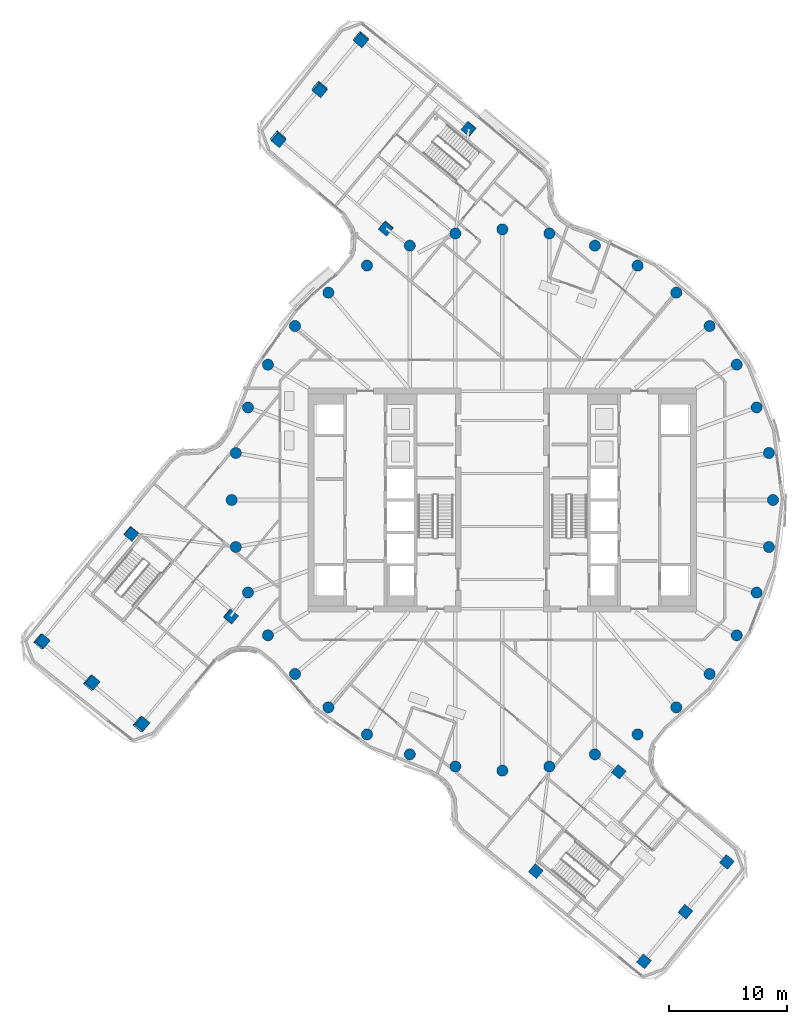
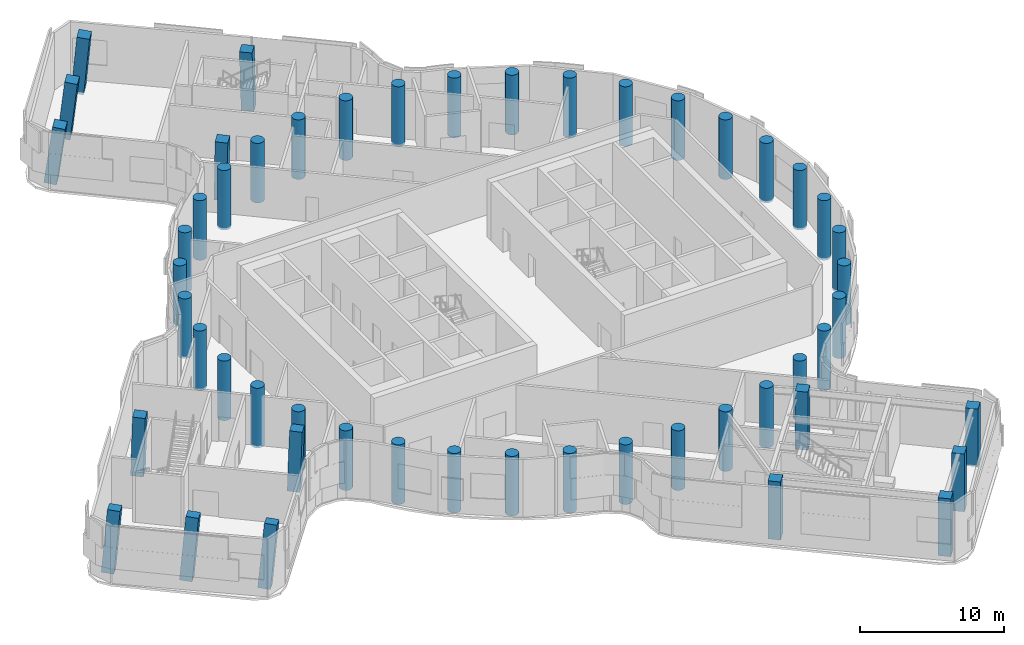
# One storey, part 1 of 19: 51 columns.
"""IFC4 building model written with IfcOpenShell, lengths in metres."""

from ifc_helpers import new_model, si_unit, direction, frame, origin, origin_2d, place, context, subcontext, project, spatial, rectangle, circle, extrude, material, material_profile, profile_set, type_object, element, save


model = new_model("IFC4")

# Units and contexts
model_context = context("Model", 3, precision=1e-05, world=origin(), true_north=direction((0.0, 1.0)))
body_context = subcontext(model_context, "Body", "Model", "MODEL_VIEW")
ifc_project = project(units=[si_unit("LENGTHUNIT", "METRE"), si_unit("AREAUNIT", "SQUARE_METRE"), si_unit("VOLUMEUNIT", "CUBIC_METRE"), si_unit("PLANEANGLEUNIT", "RADIAN"), si_unit("MASSUNIT", "GRAM", prefix="KILO")], contexts=[model_context])

# Site, building, storey
site_placement = place(None, origin())
site = spatial("IfcSite", under=ifc_project, at=site_placement, CompositionType="ELEMENT")
building_placement = place(site_placement, origin())
building = spatial("IfcBuilding", under=site, at=building_placement, Name="Tamarind Cross Interchange Tower", CompositionType="ELEMENT")
storey_placement = place(building_placement, frame((0.0, 0.0, 214.89990234375)))
storey = spatial("IfcBuildingStorey", under=building, at=storey_placement, Name="L54", CompositionType="ELEMENT", Elevation=214.89990234375)

# Columns
ifc_material = material(Name="Concrete C55", Category="concrete")
ifc_material_profile_1 = material_profile(ifc_material, rectangle(XDim=0.89990234375, YDim=0.89990234375, at=origin_2d()), Name="RC 900x900")
ifc_profile_set_1 = profile_set([ifc_material_profile_1], Name="Concrete C55")
column_type_1 = type_object("IfcColumnType", Name="Column RC 900x900 Concrete C55", PredefinedType="COLUMN", material=ifc_profile_set_1)
column_1_placement = place(storey_placement, frame((-9.896484375, 23.095703125, -0.17431640625), z_axis=(-0.00363877131, -0.03580550969, 0.999352152556), x_axis=(0.640801875223, 0.767126989756, 0.029818422132)))
element("IfcColumn", 1, at=column_1_placement, inside=storey, type_object=column_type_1, Name="Column L54-045", PredefinedType="COLUMN", context=body_context, shape_type="SweptSolid", body=[
    extrude(rectangle(XDim=0.89990234375, YDim=0.89990234375, at=origin_2d()), origin(), (0.0, 0.0, 1.0), 5.031982421875),
])
column_2_placement = place(storey_placement, frame((-2.84814453125, 31.540771484375, -0.17431640625), z_axis=(-0.034396852958, -0.010576183279, 0.999352290663), x_axis=(0.766821630693, -0.641560817298, 0.019603683576)))
element("IfcColumn", 2, at=column_2_placement, inside=storey, type_object=column_type_1, Name="Column L54-046", PredefinedType="COLUMN", context=body_context, shape_type="SweptSolid", body=[
    extrude(rectangle(XDim=0.89990234375, YDim=0.89990234375, at=origin_2d()), origin(), (0.0, 0.0, 1.0), 5.0322265625),
])
column_3_placement = place(storey_placement, frame((-12.033447265625, 39.205810546875, -0.162109375), z_axis=(0.027306920099, -0.115134496444, 0.992974511175), x_axis=(0.641674118337, 0.763693023334, 0.070903398837)))
element("IfcColumn", 3, at=column_3_placement, inside=storey, type_object=column_type_1, Name="Column L54-047", PredefinedType="COLUMN", context=body_context, shape_type="SweptSolid", body=[
    extrude(rectangle(XDim=0.89990234375, YDim=0.89990234375, at=origin_2d()), origin(), (0.0, 0.0, 1.0), 5.04248046875),
])
column_4_placement = place(storey_placement, frame((-15.557373046875, 34.9833984375, -0.163818359375), z_axis=(0.042488122715, -0.127416086189, 0.990938898423), x_axis=(0.642340953018, 0.763161584743, 0.070586795141)))
element("IfcColumn", 4, at=column_4_placement, inside=storey, type_object=column_type_1, Name="Column L54-048", PredefinedType="COLUMN", context=body_context, shape_type="SweptSolid", body=[
    extrude(rectangle(XDim=0.89990234375, YDim=0.89990234375, at=origin_2d()), origin(), (0.0, 0.0, 1.0), 5.056640625),
])
column_5_placement = place(storey_placement, frame((-19.08154296875, 30.760986328125, -0.165771484375), z_axis=(0.057608400723, -0.13956922481, 0.988535130206), x_axis=(0.642825150018, 0.76278629276, 0.070234593205)))
element("IfcColumn", 5, at=column_5_placement, inside=storey, type_object=column_type_1, Name="Column L54-049", PredefinedType="COLUMN", context=body_context, shape_type="SweptSolid", body=[
    extrude(rectangle(XDim=0.89990234375, YDim=0.89990234375, at=origin_2d()), origin(), (0.0, 0.0, 1.0), 5.07275390625),
])
column_6_placement = place(storey_placement, frame((-23.095703125, -9.896484375, -0.17431640625), z_axis=(0.03580550969, -0.00363877131, 0.999352152556), x_axis=(-0.767126989756, 0.640801875223, 0.029818422132)))
element("IfcColumn", 6, at=column_6_placement, inside=storey, type_object=column_type_1, Name="Column L54-052", PredefinedType="COLUMN", context=body_context, shape_type="SweptSolid", body=[
    extrude(rectangle(XDim=0.89990234375, YDim=0.89990234375, at=origin_2d()), origin(), (0.0, 0.0, 1.0), 5.031982421875),
])
column_7_placement = place(storey_placement, frame((-31.540771484375, -2.84814453125, -0.17431640625), z_axis=(0.010576183279, -0.034396852958, 0.999352290663), x_axis=(0.641560817298, 0.766821630693, 0.019603683576)))
element("IfcColumn", 7, at=column_7_placement, inside=storey, type_object=column_type_1, Name="Column L54-053", PredefinedType="COLUMN", context=body_context, shape_type="SweptSolid", body=[
    extrude(rectangle(XDim=0.89990234375, YDim=0.89990234375, at=origin_2d()), origin(), (0.0, 0.0, 1.0), 5.0322265625),
])
column_8_placement = place(storey_placement, frame((-39.205810546875, -12.033447265625, -0.162109375), z_axis=(0.115134496444, 0.027306920099, 0.992974511175), x_axis=(-0.763693023334, 0.641674118337, 0.070903398837)))
element("IfcColumn", 8, at=column_8_placement, inside=storey, type_object=column_type_1, Name="Column L54-054", PredefinedType="COLUMN", context=body_context, shape_type="SweptSolid", body=[
    extrude(rectangle(XDim=0.89990234375, YDim=0.89990234375, at=origin_2d()), origin(), (0.0, 0.0, 1.0), 5.04248046875),
])
column_9_placement = place(storey_placement, frame((-34.9833984375, -15.557373046875, -0.163818359375), z_axis=(0.127416086189, 0.042488122715, 0.990938898423), x_axis=(-0.763161584743, 0.642340953018, 0.070586795141)))
element("IfcColumn", 9, at=column_9_placement, inside=storey, type_object=column_type_1, Name="Column L54-055", PredefinedType="COLUMN", context=body_context, shape_type="SweptSolid", body=[
    extrude(rectangle(XDim=0.89990234375, YDim=0.89990234375, at=origin_2d()), origin(), (0.0, 0.0, 1.0), 5.056640625),
])
column_10_placement = place(storey_placement, frame((-30.760986328125, -19.08154296875, -0.165771484375), z_axis=(0.13956922481, 0.057608400723, 0.988535130206), x_axis=(-0.76278629276, 0.642825150018, 0.070234593205)))
element("IfcColumn", 10, at=column_10_placement, inside=storey, type_object=column_type_1, Name="Column L54-056", PredefinedType="COLUMN", context=body_context, shape_type="SweptSolid", body=[
    extrude(rectangle(XDim=0.89990234375, YDim=0.89990234375, at=origin_2d()), origin(), (0.0, 0.0, 1.0), 5.07275390625),
])
for number, where, z_axis, x_axis, name in (
    (11, (9.896484375, -23.095947265625, -0.1630859375), (0.0, 0.0, 1.0), (0.640774549773, 0.767729103501, 0.0), "Column L54-059"),
    (12, (2.847900390625, -31.541015625, -0.1630859375), (0.0, 0.0, 1.0), (0.640774549773, 0.767729103501, 0.0), "Column L54-060"),
):
    element("IfcColumn", number, at=place(storey_placement, frame(where, z_axis=z_axis, x_axis=x_axis)), inside=storey, type_object=column_type_1, Name=name, PredefinedType="COLUMN", context=body_context, shape_type="SweptSolid", body=[
        extrude(rectangle(XDim=0.89990234375, YDim=0.89990234375, at=origin_2d()), origin(), (0.0, 0.0, 1.0), 4.9130859375),
    ])
column_11_placement = place(storey_placement, frame((12.033935546875, -39.2080078125, -0.14306640625), z_axis=(0.0, 0.0, 1.0), x_axis=(0.640774549773, 0.767729103501, 0.0)))
element("IfcColumn", 13, at=column_11_placement, inside=storey, type_object=column_type_1, Name="Column L54-061", PredefinedType="COLUMN", context=body_context, shape_type="SweptSolid", body=[
    extrude(rectangle(XDim=0.89990234375, YDim=0.89990234375, at=origin_2d()), origin(), (0.0, 0.0, 1.0), 4.89306640625),
])
column_12_placement = place(storey_placement, frame((15.55810546875, -34.9853515625, -0.136962890625), z_axis=(0.0, 0.0, 1.0), x_axis=(0.640774549773, 0.767729103501, 0.0)))
element("IfcColumn", 14, at=column_12_placement, inside=storey, type_object=column_type_1, Name="Column L54-062", PredefinedType="COLUMN", context=body_context, shape_type="SweptSolid", body=[
    extrude(rectangle(XDim=0.89990234375, YDim=0.89990234375, at=origin_2d()), origin(), (0.0, 0.0, 1.0), 4.886962890625),
])
column_13_placement = place(storey_placement, frame((19.082275390625, -30.762939453125, -0.130859375), z_axis=(0.0, 0.0, 1.0), x_axis=(0.640774549773, 0.767729103501, 0.0)))
element("IfcColumn", 15, at=column_13_placement, inside=storey, type_object=column_type_1, Name="Column L54-063", PredefinedType="COLUMN", context=body_context, shape_type="SweptSolid", body=[
    extrude(rectangle(XDim=0.89990234375, YDim=0.89990234375, at=origin_2d()), origin(), (0.0, 0.0, 1.0), 4.880859375),
])
ifc_material_profile_2 = material_profile(ifc_material, circle(Radius=0.47509765625, at=origin_2d()), Name="RC D950")
ifc_profile_set_2 = profile_set([ifc_material_profile_2], Name="Concrete C55")
column_type_2 = type_object("IfcColumnType", Name="Column RC D950 Concrete C55", PredefinedType="COLUMN", material=ifc_profile_set_2)
for number, where, z_axis, x_axis, name in (
    (16, (23.0, 0.0, -0.179931640625), (0.0, 0.0, 1.0), (1.0, 0.0, 0.0), "Column L54-000"),
    (17, (22.650634765625, 3.993896484375, -0.179931640625), (0.0, 0.0, 1.0), (1.0, 0.0, 0.0), "Column L54-001"),
    (18, (21.613037109375, 7.866455078125, -0.179931640625), (0.0, 0.0, 1.0), (1.0, 0.0, 0.0), "Column L54-002"),
    (19, (19.918701171875, 11.5, -0.179931640625), (0.0, 0.0, 1.0), (1.0, 0.0, 0.0), "Column L54-003"),
    (20, (17.619140625, 14.7841796875, -0.179931640625), (0.0, 0.0, 1.0), (1.0, 0.0, 0.0), "Column L54-004"),
    (21, (14.7841796875, 17.619140625, -0.179931640625), (0.0, 0.0, 1.0), (1.0, 0.0, 0.0), "Column L54-005"),
    (22, (11.5, 19.918701171875, -0.179931640625), (0.0, 0.0, 1.0), (1.0, 0.0, 0.0), "Column L54-006"),
    (23, (7.866455078125, 21.613037109375, -0.179931640625), (0.0, 0.0, 1.0), (1.0, 0.0, 0.0), "Column L54-007"),
    (24, (3.993896484375, 22.650634765625, -0.179931640625), (0.0, 0.0, 1.0), (1.0, 0.0, 0.0), "Column L54-008"),
    (25, (0.0, 23.0, -0.179931640625), (0.0, 0.0, 1.0), (1.0, 0.0, 0.0), "Column L54-009"),
    (26, (-3.993896484375, 22.650634765625, -0.179931640625), (0.0, 0.0, 1.0), (1.0, 0.0, 0.0), "Column L54-010"),
    (27, (-7.866455078125, 21.613037109375, -0.179931640625), (0.0, 0.0, 1.0), (1.0, 0.0, 0.0), "Column L54-011"),
    (28, (-11.5, 19.918701171875, -0.179931640625), (0.0, 0.0, 1.0), (1.0, 0.0, 0.0), "Column L54-012"),
    (29, (-14.7841796875, 17.619140625, -0.179931640625), (0.0, 0.0, 1.0), (1.0, 0.0, 0.0), "Column L54-013"),
    (30, (-17.619140625, 14.7841796875, -0.179931640625), (0.0, 0.0, 1.0), (1.0, 0.0, 0.0), "Column L54-014"),
    (31, (-19.918701171875, 11.5, -0.179931640625), (0.0, 0.0, 1.0), (1.0, 0.0, 0.0), "Column L54-015"),
    (32, (-21.613037109375, 7.866455078125, -0.179931640625), (0.0, 0.0, 1.0), (1.0, 0.0, 0.0), "Column L54-016"),
    (33, (-22.650634765625, 3.993896484375, -0.179931640625), (0.0, 0.0, 1.0), (1.0, 0.0, 0.0), "Column L54-017"),
    (34, (-23.0, 0.0, -0.179931640625), (0.0, 0.0, 1.0), (1.0, 0.0, 0.0), "Column L54-018"),
    (35, (-22.650634765625, -3.993896484375, -0.179931640625), (0.0, 0.0, 1.0), (1.0, 0.0, 0.0), "Column L54-019"),
    (36, (-21.613037109375, -7.866455078125, -0.179931640625), (0.0, 0.0, 1.0), (1.0, 0.0, 0.0), "Column L54-020"),
    (37, (-19.918701171875, -11.5, -0.179931640625), (0.0, 0.0, 1.0), (1.0, 0.0, 0.0), "Column L54-021"),
    (38, (-17.619140625, -14.7841796875, -0.179931640625), (0.0, 0.0, 1.0), (1.0, 0.0, 0.0), "Column L54-022"),
    (39, (-14.7841796875, -17.619140625, -0.179931640625), (0.0, 0.0, 1.0), (1.0, 0.0, 0.0), "Column L54-023"),
    (40, (-11.5, -19.918701171875, -0.179931640625), (0.0, 0.0, 1.0), (1.0, 0.0, 0.0), "Column L54-024"),
    (41, (-7.866455078125, -21.613037109375, -0.179931640625), (0.0, 0.0, 1.0), (1.0, 0.0, 0.0), "Column L54-025"),
    (42, (-3.993896484375, -22.650634765625, -0.179931640625), (0.0, 0.0, 1.0), (1.0, 0.0, 0.0), "Column L54-026"),
    (43, (0.0, -23.0, -0.179931640625), (0.0, 0.0, 1.0), (1.0, 0.0, 0.0), "Column L54-027"),
    (44, (3.993896484375, -22.650634765625, -0.179931640625), (0.0, 0.0, 1.0), (1.0, 0.0, 0.0), "Column L54-028"),
    (45, (7.866455078125, -21.613037109375, -0.179931640625), (0.0, 0.0, 1.0), (1.0, 0.0, 0.0), "Column L54-029"),
    (46, (11.5, -19.918701171875, -0.179931640625), (0.0, 0.0, 1.0), (1.0, 0.0, 0.0), "Column L54-030"),
    (47, (14.7841796875, -17.619140625, -0.179931640625), (0.0, 0.0, 1.0), (1.0, 0.0, 0.0), "Column L54-031"),
    (48, (17.619140625, -14.7841796875, -0.179931640625), (0.0, 0.0, 1.0), (1.0, 0.0, 0.0), "Column L54-032"),
    (49, (19.918701171875, -11.5, -0.179931640625), (0.0, 0.0, 1.0), (1.0, 0.0, 0.0), "Column L54-033"),
    (50, (21.613037109375, -7.866455078125, -0.179931640625), (0.0, 0.0, 1.0), (1.0, 0.0, 0.0), "Column L54-034"),
    (51, (22.650634765625, -3.993896484375, -0.179931640625), (0.0, 0.0, 1.0), (1.0, 0.0, 0.0), "Column L54-035"),
):
    element("IfcColumn", number, at=place(storey_placement, frame(where, z_axis=z_axis, x_axis=x_axis)), inside=storey, type_object=column_type_2, Name=name, PredefinedType="COLUMN", context=body_context, shape_type="SweptSolid", body=[
        extrude(circle(Radius=0.47509765625, at=origin_2d()), origin(), (0.0, 0.0, 1.0), 5.0400390625),
    ])

save(model, "model.ifc")
